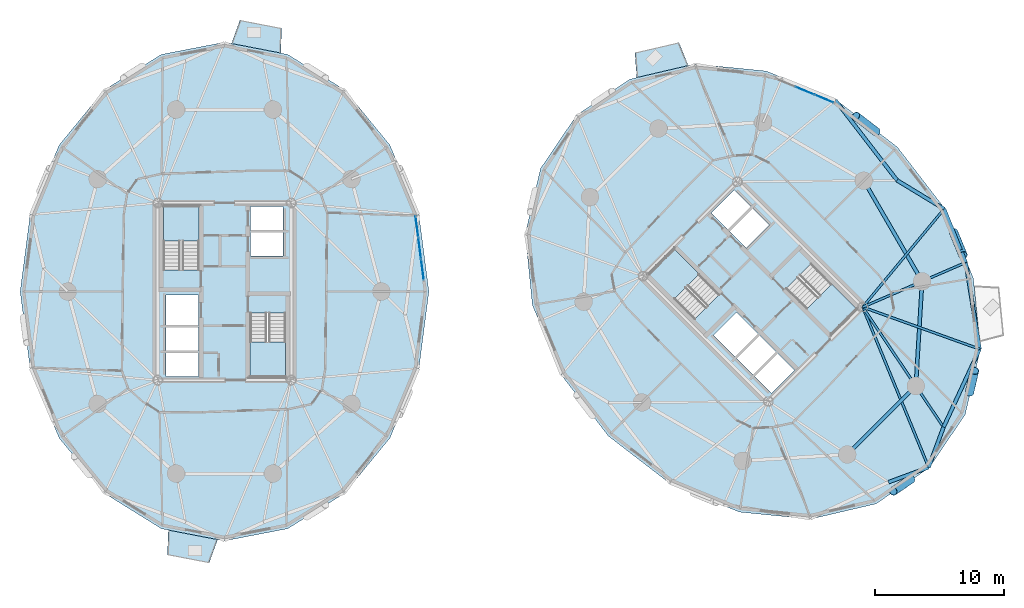
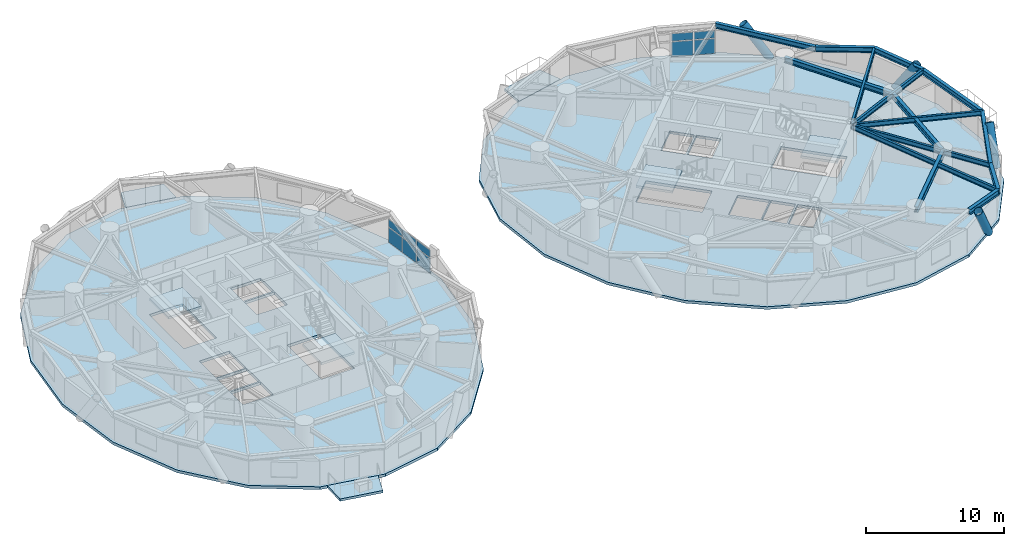
# One storey, part 7 of 17: 15 beams, 10 plates, 9 slabs, 4 members, 6 elements without a shape of their own.
"""IFC4 building model written with IfcOpenShell, lengths in metres."""

from ifc_helpers import new_model, si_unit, direction, frame, origin, origin_2d, place, context, subcontext, project, spatial, polyline, rectangle, hollow_circle, i_section, outline, extrude, source, transform, mapped, material, layer, layer_set, material_profile, profile_set, type_object, element, aggregate, save


model = new_model("IFC4")

# Units and contexts
model_context = context("Model", 3, precision=1e-05, world=origin(), true_north=direction((0.0, 1.0)))
body_context = subcontext(model_context, "Body", "Model", "MODEL_VIEW")
ifc_project = project(units=[si_unit("LENGTHUNIT", "METRE"), si_unit("AREAUNIT", "SQUARE_METRE"), si_unit("VOLUMEUNIT", "CUBIC_METRE"), si_unit("PLANEANGLEUNIT", "RADIAN"), si_unit("MASSUNIT", "GRAM", prefix="KILO")], contexts=[model_context])

# Site, building, storey
site_placement = place(None, origin())
site = spatial("IfcSite", under=ifc_project, at=site_placement, CompositionType="ELEMENT")
building_placement = place(site_placement, origin())
building = spatial("IfcBuilding", under=site, at=building_placement, Name="Cununo Teusaquillo Station Towers", CompositionType="ELEMENT")
storey_placement = place(building_placement, frame((0.0, 0.0, 78.8798828125)))
storey = spatial("IfcBuildingStorey", under=building, at=storey_placement, Name="L24", CompositionType="ELEMENT", Elevation=78.8798828125)

# Beams
ifc_material_1 = material(Name="Steel ASTM A572 Grade 50", Category="steel")
ifc_material_profile_1 = material_profile(ifc_material_1, i_section(OverallWidth=0.180908203125, OverallDepth=0.4169921875, WebThickness=0.010986328125, FlangeThickness=0.018310546875, FilletRadius=0.012939453125, at=origin_2d()), Name="W16X57")
ifc_profile_set_1 = profile_set([ifc_material_profile_1], Name="Steel ASTM A572 Grade 50")
beam_type_1 = type_object("IfcBeamType", Name="BM-JOIST-1", PredefinedType="JOIST", material=ifc_profile_set_1)
beam_1_placement = place(storey_placement, frame((66.024169921875, 23.29443359375, 2.461669921875), z_axis=(0.380485864505, -0.924786735908, 0.0), x_axis=(0.924786735908, 0.380485864505, 0.0)))
element("IfcBeam", 1, at=beam_1_placement, inside=storey, type_object=beam_type_1, Name="L24 Tower B Radial Spandrel Joist V15", PredefinedType="JOIST", context=body_context, shape_type="SweptSolid", body=[
    extrude(i_section(OverallWidth=0.180908203125, OverallDepth=0.4169921875, WebThickness=0.010986328125, FlangeThickness=0.018310546875, FilletRadius=0.012939453125, at=origin_2d()), origin(), (0.0, 0.0, 1.0), 13.44580078125),
])
beam_2_placement = place(storey_placement, frame((66.024169921875, 23.29443359375, 2.461669921875), z_axis=(0.941082771055, -0.338176312038, 0.0), x_axis=(0.338176312038, 0.941082771055, 0.0)))
element("IfcBeam", 2, at=beam_2_placement, inside=storey, type_object=beam_type_1, Name="L24 Tower B Radial Spandrel Joist V17", PredefinedType="JOIST", context=body_context, shape_type="SweptSolid", body=[
    extrude(i_section(OverallWidth=0.180908203125, OverallDepth=0.4169921875, WebThickness=0.010986328125, FlangeThickness=0.018310546875, FilletRadius=0.012939453125, at=origin_2d()), origin(), (0.0, 0.0, 1.0), 9.646484375),
])
beam_3_placement = place(storey_placement, frame((66.024169921875, 23.29443359375, 2.461669921875), z_axis=(0.638372238196, 0.769727799615, 0.0), x_axis=(-0.769727799615, 0.638372238196, 0.0)))
element("IfcBeam", 3, at=beam_3_placement, inside=storey, type_object=beam_type_1, Name="L24 Tower B Radial Spandrel Joist V19", PredefinedType="JOIST", context=body_context, shape_type="SweptSolid", body=[
    extrude(i_section(OverallWidth=0.180908203125, OverallDepth=0.4169921875, WebThickness=0.010986328125, FlangeThickness=0.018310546875, FilletRadius=0.012939453125, at=origin_2d()), origin(), (0.0, 0.0, 1.0), 9.895263671875),
])
ifc_material_2 = material(Name="Steel ASTM A572 Grade 50", Category="steel")
ifc_material_profile_2 = material_profile(ifc_material_2, i_section(OverallWidth=0.180908203125, OverallDepth=0.4169921875, WebThickness=0.010986328125, FlangeThickness=0.018310546875, FilletRadius=0.012939453125, at=origin_2d()), Name="W16X57")
ifc_profile_set_2 = profile_set([ifc_material_profile_2], Name="Steel ASTM A572 Grade 50")
beam_type_2 = type_object("IfcBeamType", Name="BM-RAD-G2", PredefinedType="BEAM", material=ifc_profile_set_2)
beam_4_placement = place(storey_placement, frame((66.024169921875, 23.29443359375, 2.461669921875), z_axis=(0.558572297481, -0.82945583878, 0.0), x_axis=(0.82945583878, 0.558572297481, 0.0)))
element("IfcBeam", 4, at=beam_4_placement, inside=storey, type_object=beam_type_2, Name="L24 Tower B Continuous Overhanging Radial Girder 09", PredefinedType="BEAM", context=body_context, shape_type="SweptSolid", body=[
    extrude(i_section(OverallWidth=0.180908203125, OverallDepth=0.4169921875, WebThickness=0.010986328125, FlangeThickness=0.018310546875, FilletRadius=0.012939453125, at=origin_2d()), origin(), (0.0, 0.0, 1.0), 11.22998046875),
])
beam_5_placement = place(storey_placement, frame((66.024169921875, 23.29443359375, 2.461669921875), z_axis=(0.917654733344, 0.397378648609, 0.0), x_axis=(-0.397378648609, 0.917654733344, 0.0)))
element("IfcBeam", 5, at=beam_5_placement, inside=storey, type_object=beam_type_2, Name="L24 Tower B Continuous Overhanging Radial Girder 10", PredefinedType="BEAM", context=body_context, shape_type="SweptSolid", body=[
    extrude(i_section(OverallWidth=0.180908203125, OverallDepth=0.4169921875, WebThickness=0.010986328125, FlangeThickness=0.018310546875, FilletRadius=0.012939453125, at=origin_2d()), origin(), (0.0, 0.0, 1.0), 8.71484375),
])
ifc_material_3 = material(Name="Steel ASTM A572 Grade 50", Category="steel")
ifc_material_profile_3 = material_profile(ifc_material_3, i_section(OverallWidth=0.280029296875, OverallDepth=0.462890625, WebThickness=0.0107421875, FlangeThickness=0.017333984375, FilletRadius=0.013916015625, at=origin_2d()), Name="W18X76")
ifc_profile_set_3 = profile_set([ifc_material_profile_3], Name="Steel ASTM A572 Grade 50")
beam_type_3 = type_object("IfcBeamType", Name="BM-RING-Z2", PredefinedType="SPANDREL", material=ifc_profile_set_3)
beam_6_placement = place(storey_placement, frame((64.826904296875, 11.853759765625, 2.438720703125), z_axis=(0.707106781187, 0.707106781187, 0.0), x_axis=(-0.707106781187, 0.707106781187, 0.0)))
element("IfcBeam", 6, at=beam_6_placement, inside=storey, type_object=beam_type_3, Name="L24 Tower B Structural Column Ring Girder 08", PredefinedType="SPANDREL", context=body_context, shape_type="SweptSolid", body=[
    extrude(i_section(OverallWidth=0.280029296875, OverallDepth=0.462890625, WebThickness=0.0107421875, FlangeThickness=0.017333984375, FilletRadius=0.013916015625, at=origin_2d()), origin(), (0.0, 0.0, 1.0), 7.522705078125),
])
beam_7_placement = place(storey_placement, frame((70.146240234375, 17.173095703125, 2.438720703125), z_axis=(0.06012979176, 0.998190567048, 0.0), x_axis=(-0.998190567048, 0.06012979176, 0.0)))
element("IfcBeam", 7, at=beam_7_placement, inside=storey, type_object=beam_type_3, Name="L24 Tower B Structural Column Ring Girder 09", PredefinedType="SPANDREL", context=body_context, shape_type="SweptSolid", body=[
    extrude(i_section(OverallWidth=0.280029296875, OverallDepth=0.462890625, WebThickness=0.0107421875, FlangeThickness=0.017333984375, FilletRadius=0.013916015625, at=origin_2d()), origin(), (0.0, 0.0, 1.0), 8.132568359375),
])
beam_8_placement = place(storey_placement, frame((70.63525390625, 25.291015625, 2.438720703125), z_axis=(-0.501311121078, 0.865267103202, 0.0), x_axis=(-0.865267103202, -0.501311121078, 0.0)))
element("IfcBeam", 8, at=beam_8_placement, inside=storey, type_object=beam_type_3, Name="L24 Tower B Structural Column Ring Girder 10", PredefinedType="SPANDREL", context=body_context, shape_type="SweptSolid", body=[
    extrude(i_section(OverallWidth=0.280029296875, OverallDepth=0.462890625, WebThickness=0.0107421875, FlangeThickness=0.017333984375, FilletRadius=0.013916015625, at=origin_2d()), origin(), (0.0, 0.0, 1.0), 9.032958984375),
])
beam_9_placement = place(storey_placement, frame((68.694580078125, 33.12890625, 2.438720703125), z_axis=(-0.610100441726, 0.792324082056, 0.0), x_axis=(-0.792324082056, -0.610100441726, 0.0)))
element("IfcBeam", 9, at=beam_9_placement, inside=storey, type_object=beam_type_3, Name="L24 Tower B Spandrel Ring Beam 01", PredefinedType="SPANDREL", context=body_context, shape_type="SweptSolid", body=[
    extrude(i_section(OverallWidth=0.280029296875, OverallDepth=0.462890625, WebThickness=0.0107421875, FlangeThickness=0.017333984375, FilletRadius=0.013916015625, at=origin_2d()), origin(), (0.0, 0.0, 1.0), 7.84033203125),
])
for number, where, z_axis, x_axis, name in (
    (10, (68.020263671875, 9.703125, 2.438720703125), (0.937628334414, 0.347639333943, 0.0), (-0.347639333943, 0.937628334414, 0.0), "L24 Tower B Spandrel Ring Beam 15"),
    (11, (71.14013671875, 10.85986328125, 2.438720703125), (0.347639333943, 0.937628334414, 0.0), (-0.937628334414, 0.347639333943, 0.0), "L24 Tower B Spandrel Ring Beam 16"),
):
    element("IfcBeam", number, at=place(storey_placement, frame(where, z_axis=z_axis, x_axis=x_axis)), inside=storey, type_object=beam_type_3, Name=name, PredefinedType="SPANDREL", context=body_context, shape_type="SweptSolid", body=[
        extrude(i_section(OverallWidth=0.280029296875, OverallDepth=0.462890625, WebThickness=0.0107421875, FlangeThickness=0.017333984375, FilletRadius=0.013916015625, at=origin_2d()), origin(), (0.0, 0.0, 1.0), 3.327392578125),
    ])
beam_10_placement = place(storey_placement, frame((72.296875, 13.979736328125, 2.438720703125), z_axis=(0.420535961689, 0.907275870354, 0.0), x_axis=(-0.907275870354, 0.420535961689, 0.0)))
element("IfcBeam", 12, at=beam_10_placement, inside=storey, type_object=beam_type_3, Name="L24 Tower B Spandrel Ring Beam 17", PredefinedType="SPANDREL", context=body_context, shape_type="SweptSolid", body=[
    extrude(i_section(OverallWidth=0.280029296875, OverallDepth=0.462890625, WebThickness=0.0107421875, FlangeThickness=0.017333984375, FilletRadius=0.013916015625, at=origin_2d()), origin(), (0.0, 0.0, 1.0), 6.671142578125),
])
beam_11_placement = place(storey_placement, frame((75.102294921875, 20.0322265625, 2.438720703125), z_axis=(-0.158671232312, 0.987331474246, 0.0), x_axis=(-0.987331474246, -0.158671232312, 0.0)))
element("IfcBeam", 13, at=beam_11_placement, inside=storey, type_object=beam_type_3, Name="L24 Tower B Spandrel Ring Beam 18", PredefinedType="SPANDREL", context=body_context, shape_type="SweptSolid", body=[
    extrude(i_section(OverallWidth=0.280029296875, OverallDepth=0.462890625, WebThickness=0.0107421875, FlangeThickness=0.017333984375, FilletRadius=0.013916015625, at=origin_2d()), origin(), (0.0, 0.0, 1.0), 6.8115234375),
])
beam_12_placement = place(storey_placement, frame((74.021484375, 26.757568359375, 2.438720703125), z_axis=(-0.375042266631, 0.927007712072, 0.0), x_axis=(-0.927007712072, -0.375042266631, 0.0)))
element("IfcBeam", 14, at=beam_12_placement, inside=storey, type_object=beam_type_3, Name="L24 Tower B Spandrel Ring Beam 19", PredefinedType="SPANDREL", context=body_context, shape_type="SweptSolid", body=[
    extrude(i_section(OverallWidth=0.280029296875, OverallDepth=0.462890625, WebThickness=0.0107421875, FlangeThickness=0.017333984375, FilletRadius=0.013916015625, at=origin_2d()), origin(), (0.0, 0.0, 1.0), 4.480712890625),
])
beam_13_placement = place(storey_placement, frame((72.341064453125, 30.9111328125, 2.438720703125), z_axis=(-0.854388492444, 0.519634779416, 0.0), x_axis=(-0.519634779416, -0.854388492444, 0.0)))
element("IfcBeam", 15, at=beam_13_placement, inside=storey, type_object=beam_type_3, Name="L24 Tower B Spandrel Ring Beam 20", PredefinedType="SPANDREL", context=body_context, shape_type="SweptSolid", body=[
    extrude(i_section(OverallWidth=0.280029296875, OverallDepth=0.462890625, WebThickness=0.0107421875, FlangeThickness=0.017333984375, FilletRadius=0.013916015625, at=origin_2d()), origin(), (0.0, 0.0, 1.0), 4.26806640625),
])

# Members
ifc_material_4 = material(Name="Steel EN 10025-2 S355J2", Category="steel")
ifc_material_profile_4 = material_profile(ifc_material_4, hollow_circle(Radius=0.330078125, WallThickness=0.02490234375, at=origin_2d()), Name="CHS 660x25")
ifc_profile_set_4 = profile_set([ifc_material_profile_4], Name="Steel EN 10025-2 S355J2")
member_type = type_object("IfcMemberType", Name="MBR-DIAG-Z2", PredefinedType="BRACE", material=ifc_profile_set_4)
member_1_placement = place(storey_placement, frame((67.085693359375, 36.895751953125, -0.139892578125), z_axis=(-0.449302990414, 0.34606419194, 0.823630012726), x_axis=(-0.610205273886, -0.792243348803, 0.0)))
element("IfcMember", 16, at=member_1_placement, inside=storey, type_object=member_type, Name="L24 Tower B Folded-Zigzag Diagrid Tube C00", PredefinedType="BRACE", context=body_context, shape_type="SweptSolid", body=[
    extrude(hollow_circle(Radius=0.330078125, WallThickness=0.02490234375, at=origin_2d()), origin(), (0.0, 0.0, 1.0), 3.532958984375),
])
member_2_placement = place(storey_placement, frame((69.7666015625, 9.931396484375, -0.139892578125), z_axis=(-0.410072581881, -0.277172614456, 0.868916462835), x_axis=(0.559991322854, -0.828498472134, 0.0)))
element("IfcMember", 17, at=member_2_placement, inside=storey, type_object=member_type, Name="L24 Tower B Folded-Zigzag Diagrid Tube C14", PredefinedType="BRACE", context=body_context, shape_type="SweptSolid", body=[
    extrude(hollow_circle(Radius=0.330078125, WallThickness=0.02490234375, at=origin_2d()), origin(), (0.0, 0.0, 1.0), 3.348876953125),
])
member_3_placement = place(storey_placement, frame((74.317626953125, 16.664306640625, -0.139892578125), z_axis=(0.115906612964, 0.49752571016, 0.859670765352), x_axis=(-0.973920299704, 0.226890391653, 0.0)))
element("IfcMember", 18, at=member_3_placement, inside=storey, type_object=member_type, Name="L24 Tower B Folded-Zigzag Diagrid Tube C16", PredefinedType="BRACE", context=body_context, shape_type="SweptSolid", body=[
    extrude(hollow_circle(Radius=0.330078125, WallThickness=0.02490234375, at=origin_2d()), origin(), (0.0, 0.0, 1.0), 3.385009765625),
])
member_4_placement = place(storey_placement, frame((73.07958984375, 29.114501953125, -0.139892578125), z_axis=(0.211093316399, -0.51346268498, 0.83174255807), x_axis=(0.924888817599, 0.380237656053, 0.0)))
element("IfcMember", 19, at=member_4_placement, inside=storey, type_object=member_type, Name="L24 Tower B Folded-Zigzag Diagrid Tube C18", PredefinedType="BRACE", context=body_context, shape_type="SweptSolid", body=[
    extrude(hollow_circle(Radius=0.330078125, WallThickness=0.02490234375, at=origin_2d()), origin(), (0.0, 0.0, 1.0), 3.49853515625),
])

# Slabs
ifc_material_5 = material(Name="Concrete C50/60", Category="concrete")
ifc_layer_1 = layer(ifc_material_5, 0.2099609375)
ifc_layer_set_1 = layer_set([ifc_layer_1], Name="Concrete C50/60")
slab_type_1 = type_object("IfcSlabType", Name="SLB-BAL-210", PredefinedType="FLOOR", material=ifc_layer_set_1)
slab_1_placement = place(storey_placement, frame((0.0, 0.0, -0.2099609375)))
element("IfcSlab", 20, at=slab_1_placement, inside=storey, type_object=slab_type_1, Name="L24 Tower A Sky Garden Terrace Slab 1", PredefinedType="FLOOR", context=body_context, shape_type="SweptSolid", body=[
    extrude(outline(polyline([(20.8623046875, 43.01220703125), (17.041015625, 43.75048828125), (17.69873046875, 45.573974609375), (20.930908203125, 44.94921875), (20.8623046875, 43.01220703125)])), origin(), (0.0, 0.0, 1.0), 0.2099609375),
])
slab_2_placement = place(storey_placement, frame((0.0, 0.0, -0.2099609375)))
element("IfcSlab", 21, at=slab_2_placement, inside=storey, type_object=slab_type_1, Name="L24 Tower A Tree Balcony Slab 2", PredefinedType="FLOOR", context=body_context, shape_type="SweptSolid", body=[
    extrude(outline(polyline([(12.1376953125, 5.98779296875), (15.958984375, 5.24951171875), (15.30126953125, 3.426025390625), (12.069091796875, 4.05078125), (12.1376953125, 5.98779296875)])), origin(), (0.0, 0.0, 1.0), 0.2099609375),
])
slab_3_placement = place(storey_placement, frame((0.0, 0.0, -0.2099609375)))
element("IfcSlab", 22, at=slab_3_placement, inside=storey, type_object=slab_type_1, Name="L24 Tower B Sky Garden Terrace Slab 1", PredefinedType="FLOOR", context=body_context, shape_type="SweptSolid", body=[
    extrude(outline(polyline([(52.486083984375, 42.04150390625), (48.4873046875, 41.1083984375), (48.344482421875, 43.04150390625), (51.7587890625, 43.83837890625), (52.486083984375, 42.04150390625)])), origin(), (0.0, 0.0, 1.0), 0.2099609375),
])

# Stair, slab
ifc_material_6 = material(Name="Concrete C50/60", Category="concrete")
stair_type = type_object("IfcStairType", Name="ST-TWR-1300", PredefinedType="HALF_TURN_STAIR", material=ifc_material_6)
stair_1_placement = place(storey_placement, origin())
stair_1 = element("IfcStair", 23, at=stair_1_placement, inside=storey, type_object=stair_type, Name="L24 Tower A Protected Core Exit Stair 1", PredefinedType="HALF_TURN_STAIR")
ifc_material_7 = material(Name="Concrete C50/60", Category="concrete")
ifc_layer_2 = layer(ifc_material_7, 0.199951171875)
ifc_layer_set_2 = layer_set([ifc_layer_2], Name="Concrete C50/60")
slab_type_2 = type_object("IfcSlabType", Name="SLB-STAIR-LND", PredefinedType="LANDING", material=ifc_layer_set_2)
slab_4_placement = place(storey_placement, frame((0.0, 0.0, 1.255126953125)))
slab_4 = element("IfcSlab", 24, at=slab_4_placement, type_object=slab_type_2, Name="ST-T1-1 landing 1", PredefinedType="LANDING", context=body_context, shape_type="SweptSolid", body=[
    extrude(outline(polyline([(14.52001953125, 28.409912109375), (14.52001953125, 31.159912109375), (11.760009765625, 31.159912109375), (11.760009765625, 28.409912109375), (14.52001953125, 28.409912109375)])), origin(), (0.0, 0.0, 1.0), 0.199951171875),
])
aggregate(stair_1, [slab_4])

stair_2_placement = place(storey_placement, origin())
stair_2 = element("IfcStair", 25, at=stair_2_placement, inside=storey, type_object=stair_type, Name="L24 Tower A Protected Core Exit Stair 2", PredefinedType="HALF_TURN_STAIR")
slab_5_placement = place(storey_placement, frame((0.0, 0.0, 1.255126953125)))
slab_5 = element("IfcSlab", 26, at=slab_5_placement, type_object=slab_type_2, Name="ST-T1-2 landing 1", PredefinedType="LANDING", context=body_context, shape_type="SweptSolid", body=[
    extrude(outline(polyline([(18.47998046875, 20.590087890625), (18.47998046875, 17.840087890625), (21.239990234375, 17.840087890625), (21.239990234375, 20.590087890625), (18.47998046875, 20.590087890625)])), origin(), (0.0, 0.0, 1.0), 0.199951171875),
])
aggregate(stair_2, [slab_5])

stair_3_placement = place(storey_placement, origin())
stair_3 = element("IfcStair", 27, at=stair_3_placement, inside=storey, type_object=stair_type, Name="L24 Tower B Protected Core Exit Stair 1", PredefinedType="HALF_TURN_STAIR")
slab_6_placement = place(storey_placement, frame((0.0, 0.0, 1.255126953125)))
slab_6 = element("IfcSlab", 28, at=slab_6_placement, type_object=slab_type_2, Name="ST-T2-1 landing 1", PredefinedType="LANDING", context=body_context, shape_type="SweptSolid", body=[
    extrude(outline(polyline([(53.335205078125, 25.86474609375), (51.390625, 27.809326171875), (49.43896484375, 25.857666015625), (51.383544921875, 23.9130859375), (53.335205078125, 25.86474609375)])), origin(), (0.0, 0.0, 1.0), 0.199951171875),
])
aggregate(stair_3, [slab_6])

stair_4_placement = place(storey_placement, origin())
stair_4 = element("IfcStair", 29, at=stair_4_placement, inside=storey, type_object=stair_type, Name="L24 Tower B Protected Core Exit Stair 2", PredefinedType="HALF_TURN_STAIR")
slab_7_placement = place(storey_placement, frame((0.0, 0.0, 1.255126953125)))
slab_7 = element("IfcSlab", 30, at=slab_7_placement, type_object=slab_type_2, Name="ST-T2-2 landing 1", PredefinedType="LANDING", context=body_context, shape_type="SweptSolid", body=[
    extrude(outline(polyline([(61.664794921875, 23.13525390625), (63.609375, 21.190673828125), (65.56103515625, 23.142333984375), (63.616455078125, 25.0869140625), (61.664794921875, 23.13525390625)])), origin(), (0.0, 0.0, 1.0), 0.199951171875),
])
aggregate(stair_4, [slab_7])

# Slabs
ifc_material_8 = material(Name="Concrete C40/50", Category="concrete")
ifc_layer_3 = layer(ifc_material_8, 0.239990234375)
ifc_layer_set_3 = layer_set([ifc_layer_3], Name="Concrete C40/50")
slab_type_3 = type_object("IfcSlabType", Name="SLB-Z2-240", PredefinedType="FLOOR", material=ifc_layer_set_3)
slab_8_placement = place(storey_placement, frame((0.0, 0.0, -0.239990234375)))
element("IfcSlab", 31, at=slab_8_placement, inside=storey, type_object=slab_type_3, Name="L24 Tower A Floor Slab", PredefinedType="FLOOR", context=body_context, shape_type="SweptSolid", body=[
    extrude(outline(polyline([(32.361083984375, 24.5), (31.584716796875, 30.4794921875), (29.331787109375, 35.87353515625), (25.822998046875, 40.154541015625), (21.4013671875, 42.90283203125), (16.5, 43.85009765625), (11.5986328125, 42.90283203125), (7.177001953125, 40.154541015625), (3.668212890625, 35.87353515625), (1.415283203125, 30.4794921875), (0.638916015625, 24.5), (1.415283203125, 18.5205078125), (3.668212890625, 13.12646484375), (7.177001953125, 8.845458984375), (11.5986328125, 6.09716796875), (16.5, 5.14990234375), (21.4013671875, 6.09716796875), (25.822998046875, 8.845458984375), (29.331787109375, 13.12646484375), (31.584716796875, 18.5205078125), (32.361083984375, 24.5)]), holes=[polyline([(14.52001953125, 26.176025390625), (14.52001953125, 31.159912109375), (11.760009765625, 31.159912109375), (11.760009765625, 26.176025390625), (14.52001953125, 26.176025390625)]), polyline([(18.47998046875, 22.823974609375), (18.47998046875, 17.840087890625), (21.239990234375, 17.840087890625), (21.239990234375, 22.823974609375), (18.47998046875, 22.823974609375)]), polyline([(11.949951171875, 21.85009765625), (14.47998046875, 21.85009765625), (14.47998046875, 24.25), (11.949951171875, 24.25), (11.949951171875, 21.85009765625)]), polyline([(11.949951171875, 17.89990234375), (14.47998046875, 17.89990234375), (14.47998046875, 19.75), (11.949951171875, 19.75), (11.949951171875, 17.89990234375)]), polyline([(11.949951171875, 19.89990234375), (14.47998046875, 19.89990234375), (14.47998046875, 21.75), (11.949951171875, 21.75), (11.949951171875, 19.89990234375)]), polyline([(18.52001953125, 27.25), (21.050048828125, 27.25), (21.050048828125, 29.10009765625), (18.52001953125, 29.10009765625), (18.52001953125, 27.25)]), polyline([(18.52001953125, 29.25), (21.050048828125, 29.25), (21.050048828125, 31.10009765625), (18.52001953125, 31.10009765625), (18.52001953125, 29.25)])]), origin(), (0.0, 0.0, 1.0), 0.239990234375),
])
slab_9_placement = place(storey_placement, frame((0.0, 0.0, -0.239990234375)))
element("IfcSlab", 32, at=slab_9_placement, inside=storey, type_object=slab_type_3, Name="L24 Tower B Floor Slab", PredefinedType="FLOOR", context=body_context, shape_type="SweptSolid", body=[
    extrude(outline(polyline([(68.71533203125, 35.71533203125), (63.938232421875, 39.39453125), (58.531005859375, 41.61572265625), (53.02294921875, 42.16162109375), (47.952880859375, 40.978515625), (43.8173828125, 38.1826171875), (41.021484375, 34.047119140625), (39.83837890625, 28.97705078125), (40.38427734375, 23.468994140625), (42.60546875, 18.061767578125), (46.28466796875, 13.28466796875), (51.061767578125, 9.60546875), (56.468994140625, 7.38427734375), (61.97705078125, 6.83837890625), (67.047119140625, 8.021484375), (71.1826171875, 10.8173828125), (73.978515625, 14.952880859375), (75.16162109375, 20.02294921875), (74.61572265625, 25.531005859375), (72.39453125, 30.938232421875), (68.71533203125, 35.71533203125)]), holes=[polyline([(54.914794921875, 24.28515625), (51.390625, 27.809326171875), (49.43896484375, 25.857666015625), (52.963134765625, 22.33349609375), (54.914794921875, 24.28515625)]), polyline([(60.085205078125, 24.71484375), (63.609375, 21.190673828125), (65.56103515625, 23.142333984375), (62.036865234375, 26.66650390625), (60.085205078125, 24.71484375)]), polyline([(56.156494140625, 19.40869140625), (57.945556640625, 21.19775390625), (56.248291015625, 22.89501953125), (54.45947265625, 21.10595703125), (56.156494140625, 19.40869140625)]), polyline([(58.94970703125, 16.61572265625), (60.738525390625, 18.40478515625), (59.430419921875, 19.712890625), (57.641357421875, 17.923828125), (58.94970703125, 16.61572265625)]), polyline([(57.535400390625, 18.030029296875), (59.32421875, 19.819091796875), (58.01611328125, 21.127197265625), (56.227294921875, 19.338134765625), (57.535400390625, 18.030029296875)]), polyline([(56.98388671875, 27.872802734375), (58.772705078125, 29.661865234375), (57.464599609375, 30.969970703125), (55.67578125, 29.180908203125), (56.98388671875, 27.872802734375)]), polyline([(55.569580078125, 29.287109375), (57.358642578125, 31.076171875), (56.05029296875, 32.38427734375), (54.261474609375, 30.59521484375), (55.569580078125, 29.287109375)])]), origin(), (0.0, 0.0, 1.0), 0.239990234375),
])

# Curtain wall, plates
ifc_material_9 = material(Name="Ceramic-fritted dark low-E double glazing", Category="glass")
ifc_layer_4 = layer(ifc_material_9, 0.179931640625)
ifc_layer_set_4 = layer_set([ifc_layer_4], Name="Ceramic-fritted dark low-E double glazing")
curtain_wall_type = type_object("IfcCurtainWallType", Name="CW-SYS-04", PredefinedType="USERDEFINED", material=ifc_layer_set_4)
curtain_wall_1_placement = place(storey_placement, origin())
curtain_wall_1 = element("IfcCurtainWall", 33, at=curtain_wall_1_placement, inside=storey, type_object=curtain_wall_type, Name="L24 Tower A Facade Curtain Wall C00", ObjectType="FRITTED GLAZING", PredefinedType="USERDEFINED")
ifc_material_10 = material(Name="Ceramic-fritted dark low-E double glazing", Category="glass")
ifc_layer_5 = layer(ifc_material_10, 0.028076171875)
ifc_layer_set_5 = layer_set([ifc_layer_5], Name="Ceramic-fritted dark low-E double glazing")
plate_type = type_object("IfcPlateType", Name="CWP-FRIT-28", PredefinedType="CURTAIN_PANEL", material=ifc_layer_set_5)
shared_shape_1 = source(origin(), body_context, "Body", "SweptSolid", [
    extrude(rectangle(XDim=1.59228515625, YDim=0.028076171875, at=origin_2d()), origin(), (0.0, 0.0, 1.0), 1.31103515625),
])
plate_1_placement = place(storey_placement, frame((31.429443359375, 29.533935546875, 0.070068359375), z_axis=(0.0, 0.0, 1.0), x_axis=(0.128335852387, -0.991730764367, 0.0)))
plate_1 = element("IfcPlate", 34, at=plate_1_placement, type_object=plate_type, Name="CW-04 panel 1.1", PredefinedType="CURTAIN_PANEL", context=body_context, shape_type="MappedRepresentation", body=[
    mapped(shared_shape_1, transform((0.0, 0.0, 0.0), x_axis=(1.0, 0.0, 0.0), y_axis=(0.0, 1.0, 0.0), z_axis=(0.0, 0.0, 1.0), scale=1.0)),
])
plate_2_placement = place(storey_placement, frame((31.86083984375, 26.201904296875, 0.070068359375), z_axis=(0.0, 0.0, 1.0), x_axis=(0.128335852387, -0.991730764367, 0.0)))
plate_2 = element("IfcPlate", 35, at=plate_2_placement, type_object=plate_type, Name="CW-04 panel 3.1", PredefinedType="CURTAIN_PANEL", context=body_context, shape_type="MappedRepresentation", body=[
    mapped(shared_shape_1, transform((0.0, 0.0, 0.0), x_axis=(1.0, 0.0, 0.0), y_axis=(0.0, 1.0, 0.0), z_axis=(0.0, 0.0, 1.0), scale=1.0)),
])
shared_shape_2 = source(origin(), body_context, "Body", "SweptSolid", [
    extrude(rectangle(XDim=1.59228515625, YDim=0.028076171875, at=origin_2d()), origin(), (0.0, 0.0, 1.0), 0.657958984375),
])
plate_3_placement = place(storey_placement, frame((31.429443359375, 29.533935546875, 1.451171875), z_axis=(0.0, 0.0, 1.0), x_axis=(0.128335852387, -0.991730764367, 0.0)))
plate_3 = element("IfcPlate", 36, at=plate_3_placement, type_object=plate_type, Name="CW-04 panel 1.2", PredefinedType="CURTAIN_PANEL", context=body_context, shape_type="MappedRepresentation", body=[
    mapped(shared_shape_2, transform((0.0, 0.0, 0.0), x_axis=(1.0, 0.0, 0.0), y_axis=(0.0, 1.0, 0.0), z_axis=(0.0, 0.0, 1.0), scale=1.0)),
])
plate_4_placement = place(storey_placement, frame((31.86083984375, 26.201904296875, 1.451171875), z_axis=(0.0, 0.0, 1.0), x_axis=(0.128335852387, -0.991730764367, 0.0)))
plate_4 = element("IfcPlate", 37, at=plate_4_placement, type_object=plate_type, Name="CW-04 panel 3.2", PredefinedType="CURTAIN_PANEL", context=body_context, shape_type="MappedRepresentation", body=[
    mapped(shared_shape_2, transform((0.0, 0.0, 0.0), x_axis=(1.0, 0.0, 0.0), y_axis=(0.0, 1.0, 0.0), z_axis=(0.0, 0.0, 1.0), scale=1.0)),
])
shared_shape_3 = source(origin(), body_context, "Body", "SweptSolid", [
    extrude(rectangle(XDim=1.62744140625, YDim=0.028076171875, at=origin_2d()), origin(), (0.0, 0.0, 1.0), 1.31103515625),
])
plate_5_placement = place(storey_placement, frame((31.645263671875, 27.867919921875, 0.070068359375), z_axis=(0.0, 0.0, 1.0), x_axis=(0.128335852387, -0.991730764367, 0.0)))
plate_5 = element("IfcPlate", 38, at=plate_5_placement, type_object=plate_type, Name="CW-04 panel 2.1", PredefinedType="CURTAIN_PANEL", context=body_context, shape_type="MappedRepresentation", body=[
    mapped(shared_shape_3, transform((0.0, 0.0, 0.0), x_axis=(1.0, 0.0, 0.0), y_axis=(0.0, 1.0, 0.0), z_axis=(0.0, 0.0, 1.0), scale=1.0)),
])
shared_shape_4 = source(origin(), body_context, "Body", "SweptSolid", [
    extrude(rectangle(XDim=1.62744140625, YDim=0.028076171875, at=origin_2d()), origin(), (0.0, 0.0, 1.0), 0.657958984375),
])
plate_6_placement = place(storey_placement, frame((31.645263671875, 27.867919921875, 1.451171875), z_axis=(0.0, 0.0, 1.0), x_axis=(0.128335852387, -0.991730764367, 0.0)))
plate_6 = element("IfcPlate", 39, at=plate_6_placement, type_object=plate_type, Name="CW-04 panel 2.2", PredefinedType="CURTAIN_PANEL", context=body_context, shape_type="MappedRepresentation", body=[
    mapped(shared_shape_4, transform((0.0, 0.0, 0.0), x_axis=(1.0, 0.0, 0.0), y_axis=(0.0, 1.0, 0.0), z_axis=(0.0, 0.0, 1.0), scale=1.0)),
])
aggregate(curtain_wall_1, [plate_1, plate_3, plate_5, plate_6, plate_2, plate_4])

curtain_wall_2_placement = place(storey_placement, origin())
curtain_wall_2 = element("IfcCurtainWall", 40, at=curtain_wall_2_placement, inside=storey, type_object=curtain_wall_type, Name="L24 Tower B Facade Curtain Wall C01", ObjectType="FRITTED GLAZING", PredefinedType="USERDEFINED")
shared_shape_5 = source(origin(), body_context, "Body", "SweptSolid", [
    extrude(rectangle(XDim=1.531005859375, YDim=0.028076171875, at=origin_2d()), origin(), (0.0, 0.0, 1.0), 1.31103515625),
])
plate_7_placement = place(storey_placement, frame((63.03857421875, 39.463623046875, 0.070068359375), z_axis=(0.0, 0.0, 1.0), x_axis=(0.924562443652, -0.381030560176, 0.0)))
plate_7 = element("IfcPlate", 41, at=plate_7_placement, type_object=plate_type, Name="CW-04 panel 3.1", PredefinedType="CURTAIN_PANEL", context=body_context, shape_type="MappedRepresentation", body=[
    mapped(shared_shape_5, transform((0.0, 0.0, 0.0), x_axis=(1.0, 0.0, 0.0), y_axis=(0.0, 1.0, 0.0), z_axis=(0.0, 0.0, 1.0), scale=1.0)),
])
shared_shape_6 = source(origin(), body_context, "Body", "SweptSolid", [
    extrude(rectangle(XDim=1.531005859375, YDim=0.028076171875, at=origin_2d()), origin(), (0.0, 0.0, 1.0), 0.657958984375),
])
plate_8_placement = place(storey_placement, frame((63.03857421875, 39.463623046875, 1.451171875), z_axis=(0.0, 0.0, 1.0), x_axis=(0.924562443652, -0.381030560176, 0.0)))
plate_8 = element("IfcPlate", 42, at=plate_8_placement, type_object=plate_type, Name="CW-04 panel 3.2", PredefinedType="CURTAIN_PANEL", context=body_context, shape_type="MappedRepresentation", body=[
    mapped(shared_shape_6, transform((0.0, 0.0, 0.0), x_axis=(1.0, 0.0, 0.0), y_axis=(0.0, 1.0, 0.0), z_axis=(0.0, 0.0, 1.0), scale=1.0)),
])
shared_shape_7 = source(origin(), body_context, "Body", "SweptSolid", [
    extrude(rectangle(XDim=1.566162109375, YDim=0.028076171875, at=origin_2d()), origin(), (0.0, 0.0, 1.0), 1.31103515625),
])
plate_9_placement = place(storey_placement, frame((61.542236328125, 40.080322265625, 0.070068359375), z_axis=(0.0, 0.0, 1.0), x_axis=(0.924562443652, -0.381030560176, 0.0)))
plate_9 = element("IfcPlate", 43, at=plate_9_placement, type_object=plate_type, Name="CW-04 panel 2.1", PredefinedType="CURTAIN_PANEL", context=body_context, shape_type="MappedRepresentation", body=[
    mapped(shared_shape_7, transform((0.0, 0.0, 0.0), x_axis=(1.0, 0.0, 0.0), y_axis=(0.0, 1.0, 0.0), z_axis=(0.0, 0.0, 1.0), scale=1.0)),
])
shared_shape_8 = source(origin(), body_context, "Body", "SweptSolid", [
    extrude(rectangle(XDim=1.566162109375, YDim=0.028076171875, at=origin_2d()), origin(), (0.0, 0.0, 1.0), 0.657958984375),
])
plate_10_placement = place(storey_placement, frame((61.542236328125, 40.080322265625, 1.451171875), z_axis=(0.0, 0.0, 1.0), x_axis=(0.924562443652, -0.381030560176, 0.0)))
plate_10 = element("IfcPlate", 44, at=plate_10_placement, type_object=plate_type, Name="CW-04 panel 2.2", PredefinedType="CURTAIN_PANEL", context=body_context, shape_type="MappedRepresentation", body=[
    mapped(shared_shape_8, transform((0.0, 0.0, 0.0), x_axis=(1.0, 0.0, 0.0), y_axis=(0.0, 1.0, 0.0), z_axis=(0.0, 0.0, 1.0), scale=1.0)),
])
aggregate(curtain_wall_2, [plate_9, plate_10, plate_7, plate_8])

save(model, "model.ifc")
